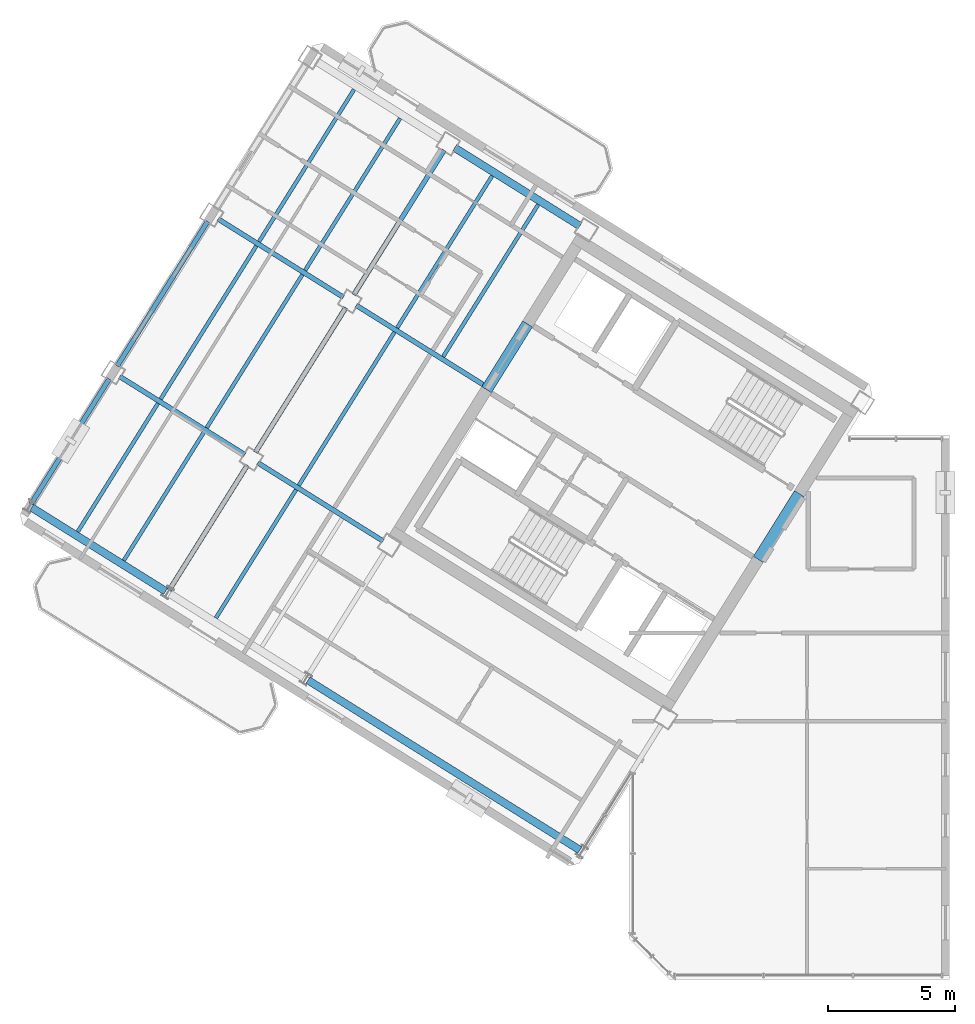
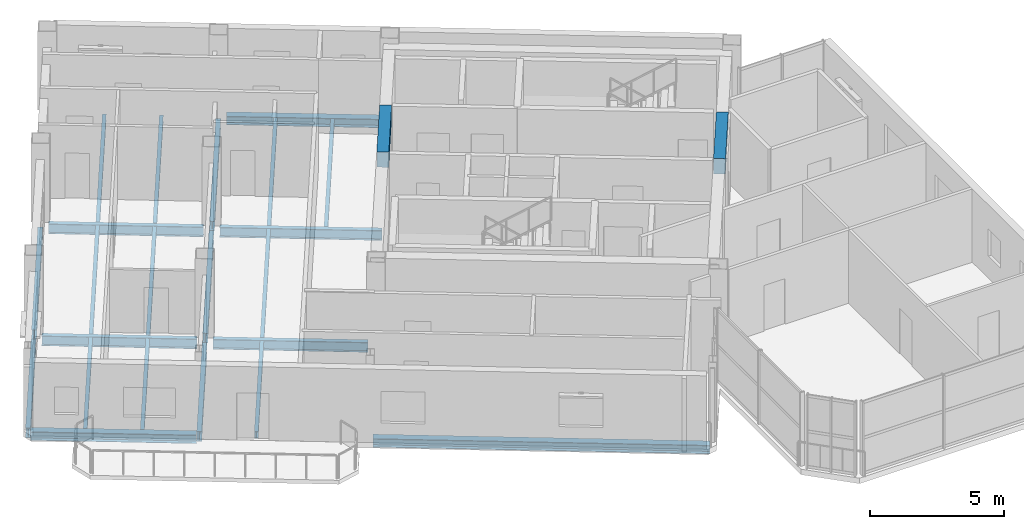
# One storey, part 3 of 12: 24 beams.
"""IFC4 building model written with IfcOpenShell, lengths in metres."""

import ifcopenshell
import ifcopenshell.guid

model = None  # the IFC model being written
_history = None  # IfcOwnerHistory: only IFC2X3 demands one
_inside = {}  # id of a spatial element -> (the spatial element, [elements in it])
_under = {}  # id of a project, library or spatial element -> (it, [spatial elements below it])
_declared = {}  # id of a project -> (the project, [libraries it declares])
_typed = {}  # id of a type object -> (the type object, [elements of that type])
_made_of = {}  # id of a material, layer set ... -> (it, [elements and type objects made of it])


def new_model(schema):
    """Start an empty IFC model of exactly this schema.

    Asked for "IFC4X3", IfcOpenShell would pick the latest addendum, in which some entities
    have other attributes; the version numbers below select the first issue.
    IFC2X3 requires an IfcOwnerHistory on every rooted entity: one is made here for all.
    """
    global model, _history
    if schema == "IFC4X3":
        model = ifcopenshell.file(schema_version=(4, 3, 0, 0))
    else:
        model = ifcopenshell.file(schema=schema)
    _inside.clear()
    _under.clear()
    _declared.clear()
    _typed.clear()
    _made_of.clear()
    _history = None
    if model.schema == "IFC2X3":
        org = make("IfcOrganization", Name="unknown")
        user = make(
            "IfcPersonAndOrganization",
            ThePerson=make("IfcPerson", FamilyName="unknown"),
            TheOrganization=org,
        )
        app = make(
            "IfcApplication",
            ApplicationDeveloper=org,
            Version="unknown",
            ApplicationFullName="unknown",
            ApplicationIdentifier="unknown",
        )
        _history = make(
            "IfcOwnerHistory",
            OwningUser=user,
            OwningApplication=app,
            ChangeAction="ADDED",
            CreationDate=0,
        )
    return model


def make(cls, **values):
    """One entity of the class cls with the attributes given. An attribute that is None is left unset."""
    return model.create_entity(
        cls, **{name: value for name, value in values.items() if value is not None}
    )


def rooted(cls, **values):
    """An entity with a GlobalId (a new one), such as an element, a storey or a relation."""
    return make(cls, GlobalId=ifcopenshell.guid.new(), OwnerHistory=_history, **values)


def si_unit(unit_type, name, prefix=None):
    """IfcSIUnit, for example si_unit("LENGTHUNIT", "METRE", prefix="MILLI")."""
    return make("IfcSIUnit", UnitType=unit_type, Prefix=prefix, Name=name)


def assignment(units):
    """IfcUnitAssignment: the units of a project."""
    return None if units is None else make("IfcUnitAssignment", Units=units)


def point(xyz):
    """IfcCartesianPoint."""
    return None if xyz is None else make("IfcCartesianPoint", Coordinates=xyz)


def direction(xyz):
    """IfcDirection."""
    return None if xyz is None else make("IfcDirection", DirectionRatios=xyz)


def frame(location, z_axis=None, x_axis=None):
    """IfcAxis2Placement3D, a coordinate frame: its origin and axes. An axis left out is left unset."""
    return make(
        "IfcAxis2Placement3D",
        Location=point(location),
        Axis=direction(z_axis),
        RefDirection=direction(x_axis),
    )


def frame_2d(location, x_axis=None):
    """IfcAxis2Placement2D, a coordinate frame in the plane: its origin and x axis."""
    return make(
        "IfcAxis2Placement2D", Location=point(location), RefDirection=direction(x_axis)
    )


def origin():
    """The frame at (0, 0, 0) with its axes left unset."""
    return frame((0.0, 0.0, 0.0))


def origin_2d():
    """The frame at (0, 0) in the plane with its x axis left unset."""
    return frame_2d((0.0, 0.0))


def place(relative_to, where):
    """IfcLocalPlacement: puts the frame where relative to a parent placement (None: the world)."""
    return make(
        "IfcLocalPlacement", PlacementRelTo=relative_to, RelativePlacement=where
    )


def context(
    kind, dimensions, precision=None, world=None, true_north=None, identifier=None
):
    """IfcGeometricRepresentationContext, for example the 3D "Model" context."""
    return make(
        "IfcGeometricRepresentationContext",
        ContextIdentifier=identifier,
        ContextType=kind,
        CoordinateSpaceDimension=dimensions,
        Precision=precision,
        WorldCoordinateSystem=world,
        TrueNorth=true_north,
    )


def subcontext(parent, identifier, kind, view, scale=None):
    """IfcGeometricRepresentationSubContext, for example "Body" below "Model"."""
    return make(
        "IfcGeometricRepresentationSubContext",
        ContextIdentifier=identifier,
        ContextType=kind,
        ParentContext=parent,
        TargetScale=scale,
        TargetView=view,
    )


def project(units=None, contexts=None):
    """IfcProject with its units and contexts."""
    return rooted(
        "IfcProject",
        Name="project",
        RepresentationContexts=contexts,
        UnitsInContext=assignment(units),
    )


def spatial(cls, under=None, at=None, **own):
    """A site, building, storey or space (cls), placed at a placement, below another one or the project."""
    s = rooted(cls, ObjectPlacement=at, **own)
    if under is not None:
        _under.setdefault(under.id(), (under, []))[1].append(s)
    return s


def profile(cls, at=None, kind="AREA", **sizes):
    """A parametric profile (cls). Its sizes go by their IFC names, for example OverallWidth=200.0."""
    return make(cls, ProfileType=kind, Position=at, **sizes)


def rectangle(**sizes):
    """IfcRectangleProfileDef."""
    return profile("IfcRectangleProfileDef", **sizes)


def i_section(**sizes):
    """IfcIShapeProfileDef."""
    return profile("IfcIShapeProfileDef", **sizes)


def extrude(swept, where, along, depth):
    """IfcExtrudedAreaSolid: the profile swept, set in the frame where, extruded along a direction by depth."""
    return make(
        "IfcExtrudedAreaSolid",
        SweptArea=swept,
        Position=where,
        ExtrudedDirection=direction(along),
        Depth=depth,
    )


def shape(context_of_items, identifier, shape_type, items):
    """IfcShapeRepresentation: the items that make up one representation, for example the "Body"."""
    return make(
        "IfcShapeRepresentation",
        ContextOfItems=context_of_items,
        RepresentationIdentifier=identifier,
        RepresentationType=shape_type,
        Items=items,
    )


def source(mapping_origin, context_of_items, identifier, shape_type, items):
    """IfcRepresentationMap: a shape defined once, which mapped items show again and again."""
    return make(
        "IfcRepresentationMap",
        MappingOrigin=mapping_origin,
        MappedRepresentation=shape(context_of_items, identifier, shape_type, items),
    )


def transform(
    local_origin,
    x_axis=None,
    y_axis=None,
    z_axis=None,
    scale=None,
    scale2=None,
    scale3=None,
    uniform=True,
):
    """IfcCartesianTransformationOperator3D, or its non-uniform kind. x_axis, y_axis, z_axis: its Axis1, 2, 3."""
    if uniform:
        return make(
            "IfcCartesianTransformationOperator3D",
            Axis1=direction(x_axis),
            Axis2=direction(y_axis),
            LocalOrigin=point(local_origin),
            Scale=scale,
            Axis3=direction(z_axis),
        )
    return make(
        "IfcCartesianTransformationOperator3DnonUniform",
        Axis1=direction(x_axis),
        Axis2=direction(y_axis),
        LocalOrigin=point(local_origin),
        Scale=scale,
        Axis3=direction(z_axis),
        Scale2=scale2,
        Scale3=scale3,
    )


def mapped(mapping_source, mapping_target):
    """IfcMappedItem: shows the shape of a source again, moved by a transform."""
    return make(
        "IfcMappedItem", MappingSource=mapping_source, MappingTarget=mapping_target
    )


def material(Name=None, Category=None):
    """IfcMaterial."""
    return make("IfcMaterial", Name=Name, Category=Category)


def material_profile(
    of_material, cross_section, Name=None, Category=None, Priority=None
):
    """IfcMaterialProfile: a cross section and its material."""
    return make(
        "IfcMaterialProfile",
        Name=Name,
        Material=of_material,
        Profile=cross_section,
        Priority=Priority,
        Category=Category,
    )


def profile_set(profiles, Name=None, composite=None):
    """IfcMaterialProfileSet."""
    return make(
        "IfcMaterialProfileSet",
        Name=Name,
        MaterialProfiles=profiles,
        CompositeProfile=composite,
    )


def made_of(thing, what):
    """Note that an element or type object is made of a material, layer set ...; save() writes the relation."""
    if what is not None:
        _made_of.setdefault(what.id(), (what, []))[1].append(thing)
    return thing


def type_object(cls, material=None, **own):
    """A type object (cls), such as IfcWallType, which elements share."""
    return made_of(rooted(cls, **own), material)


def element(
    cls,
    number,
    at=None,
    inside=None,
    cuts=None,
    type_object=None,
    material=None,
    context=None,
    identifier="Body",
    shape_type=None,
    held_by="IfcProductDefinitionShape",
    body=None,
    shapes=None,
    **own,
):
    """One element of the class cls, such as IfcWall. Its Tag is "e" and its number.

    at: its placement. inside: the storey or other place that contains it. cuts: it is an
    opening in that element (IfcRelVoidsElement). A single representation is given by context,
    identifier, shape_type and body (its items); several are given by shapes. held_by: the class
    of the entity that holds the representations. save() writes the other relations.
    """
    e = rooted(cls, Tag="e%d" % number, ObjectPlacement=at, **own)
    if body is not None:
        shapes = [shape(context, identifier, shape_type, body)]
    if shapes is not None:
        e.Representation = make(held_by, Representations=shapes)
    if inside is not None:
        _inside.setdefault(inside.id(), (inside, []))[1].append(e)
    if cuts is not None:
        rooted(
            "IfcRelVoidsElement", RelatingBuildingElement=cuts, RelatedOpeningElement=e
        )
    if type_object is not None:
        _typed.setdefault(type_object.id(), (type_object, []))[1].append(e)
    return made_of(e, material)


def aggregate(whole, parts):
    """IfcRelAggregates: a whole, such as a stair, and the parts it consists of."""
    return rooted("IfcRelAggregates", RelatingObject=whole, RelatedObjects=parts)


def save(model, path):
    """Write the relations noted so far, then the file.

    IfcRelAggregates (storeys below a building ...), IfcRelContainedInSpatialStructure (elements
    in a storey), IfcRelDefinesByType, IfcRelAssociatesMaterial and IfcRelDeclares: one each for
    every whole, place, type object, material and project.
    """
    for whole, parts in _under.values():
        aggregate(whole, parts)
    for where, things in _inside.values():
        rooted(
            "IfcRelContainedInSpatialStructure",
            RelatedElements=things,
            RelatingStructure=where,
        )
    for kind, things in _typed.values():
        rooted("IfcRelDefinesByType", RelatedObjects=things, RelatingType=kind)
    for what, things in _made_of.values():
        rooted("IfcRelAssociatesMaterial", RelatedObjects=things, RelatingMaterial=what)
    for by, libraries in _declared.values():
        rooted("IfcRelDeclares", RelatingContext=by, RelatedDefinitions=libraries)
    model.write(path)


model = new_model("IFC4")

# Units and contexts
model_context = context("Model", 3, precision=1e-05, world=origin(), true_north=direction((0.0, 1.0)))
body_context = subcontext(model_context, "Body", "Model", "MODEL_VIEW")
ifc_project = project(units=[si_unit("LENGTHUNIT", "METRE"), si_unit("AREAUNIT", "SQUARE_METRE"), si_unit("VOLUMEUNIT", "CUBIC_METRE"), si_unit("PLANEANGLEUNIT", "RADIAN"), si_unit("MASSUNIT", "GRAM", prefix="KILO")], contexts=[model_context])

# Site, building, storey
site_placement = place(None, origin())
site = spatial("IfcSite", under=ifc_project, at=site_placement, CompositionType="ELEMENT")
building_placement = place(site_placement, origin())
building = spatial("IfcBuilding", under=site, at=building_placement, Name="Tlacorven Tower", CompositionType="ELEMENT")
storey_placement = place(building_placement, frame((0.0, 0.0, 288.0)))
storey = spatial("IfcBuildingStorey", under=building, at=storey_placement, Name="L73", CompositionType="ELEMENT", Elevation=288.0)

# Beams
ifc_material_1 = material(Name="Concrete C60/75", Category="concrete")
ifc_material_profile_1 = material_profile(ifc_material_1, rectangle(XDim=0.449951171875, YDim=0.699951171875, at=origin_2d()), Name="RC 450X700")
ifc_profile_set_1 = profile_set([ifc_material_profile_1], Name="Concrete C60/75")
beam_type_1 = type_object("IfcBeamType", Name="BM-LNT-700", PredefinedType="LINTEL", material=ifc_profile_set_1)
shared_shape_1 = source(origin(), body_context, "Body", "SweptSolid", [
    extrude(rectangle(XDim=0.449951171875, YDim=0.699951171875, at=origin_2d()), origin(), (0.0, 0.0, 1.0), 3.050048828125),
])
beam_1_placement = place(storey_placement, frame((38.2998046875, 20.890625, 3.0), z_axis=(-0.529984549635, -0.848007297815, 0.0), x_axis=(0.848007297815, -0.529984549635, 0.0)))
element("IfcBeam", 1, at=beam_1_placement, inside=storey, type_object=beam_type_1, Name="L73 W core coupling lintel beam E1", PredefinedType="LINTEL", context=body_context, shape_type="MappedRepresentation", body=[
    mapped(shared_shape_1, transform((0.0, 0.0, 0.0), scale=1.0)),
])
shared_shape_2 = source(origin(), body_context, "Body", "SweptSolid", [
    extrude(rectangle(XDim=0.449951171875, YDim=0.699951171875, at=origin_2d()), origin(), (0.0, 0.0, 1.0), 3.0498046875),
])
beam_2_placement = place(storey_placement, frame((27.622802734375, 27.562255859375, 3.0), z_axis=(-0.529926983584, -0.848043272522, 0.0), x_axis=(0.848043272522, -0.529926983584, 0.0)))
element("IfcBeam", 2, at=beam_2_placement, inside=storey, type_object=beam_type_1, Name="L73 W core coupling lintel beam E2", PredefinedType="LINTEL", context=body_context, shape_type="MappedRepresentation", body=[
    mapped(shared_shape_2, transform((0.0, 0.0, 0.0), scale=1.0)),
])
ifc_material_2 = material(Name="Steel S355J2", Category="steel")
ifc_material_profile_2 = material_profile(ifc_material_2, i_section(OverallWidth=0.300048828125, OverallDepth=0.389892578125, WebThickness=0.010986328125, FlangeThickness=0.01904296875, at=origin_2d()), Name="HEA 400")
ifc_profile_set_2 = profile_set([ifc_material_profile_2], Name="Steel S355J2")
beam_type_2 = type_object("IfcBeamType", Name="BM-SPN-400", PredefinedType="SPANDREL", material=ifc_profile_set_2)
shared_shape_3 = source(origin(), body_context, "Body", "SweptSolid", [
    extrude(i_section(OverallWidth=0.300048828125, OverallDepth=0.389892578125, WebThickness=0.010986328125, FlangeThickness=0.01904296875, at=origin_2d()), origin(), (0.0, 0.0, 1.0), 12.599853515625),
])
beam_3_placement = place(storey_placement, frame((29.67578125, 6.882080078125, -0.445068359375), z_axis=(-0.848045108756, 0.529924045043, 0.0), x_axis=(-0.529924045043, -0.848045108756, 0.0)))
element("IfcBeam", 3, at=beam_3_placement, inside=storey, type_object=beam_type_2, Name="L73 beam BM-L73-WL4-1", PredefinedType="SPANDREL", context=body_context, shape_type="MappedRepresentation", body=[
    mapped(shared_shape_3, transform((0.0, 0.0, 0.0), scale=1.0)),
])
shared_shape_4 = source(origin(), body_context, "Body", "SweptSolid", [
    extrude(i_section(OverallWidth=0.300048828125, OverallDepth=0.389892578125, WebThickness=0.010986328125, FlangeThickness=0.01904296875, at=origin_2d()), origin(), (0.0, 0.0, 1.0), 6.199951171875),
])
beam_4_placement = place(storey_placement, frame((13.393310546875, 17.056396484375, -0.445068359375), z_axis=(-0.848033697614, 0.529942306022, 0.0), x_axis=(-0.529942306022, -0.848033697614, 0.0)))
element("IfcBeam", 4, at=beam_4_placement, inside=storey, type_object=beam_type_2, Name="L73 beam BM-L73-WL4-4", PredefinedType="SPANDREL", context=body_context, shape_type="MappedRepresentation", body=[
    mapped(shared_shape_4, transform((0.0, 0.0, 0.0), scale=1.0)),
])
shared_shape_5 = source(origin(), body_context, "Body", "SweptSolid", [
    extrude(i_section(OverallWidth=0.300048828125, OverallDepth=0.389892578125, WebThickness=0.010986328125, FlangeThickness=0.01904296875, at=origin_2d()), origin(), (0.0, 0.0, 1.0), 5.800048828125),
])
beam_5_placement = place(storey_placement, frame((29.673583984375, 31.410400390625, -0.445068359375), z_axis=(-0.848052689693, 0.529911912967, 0.0), x_axis=(-0.529911912967, -0.848052689693, 0.0)))
element("IfcBeam", 5, at=beam_5_placement, inside=storey, type_object=beam_type_2, Name="L73 beam BM-L73-WL1-3", PredefinedType="SPANDREL", context=body_context, shape_type="MappedRepresentation", body=[
    mapped(shared_shape_5, transform((0.0, 0.0, 0.0), scale=1.0)),
])
ifc_material_profile_3 = material_profile(ifc_material_2, i_section(OverallWidth=0.14990234375, OverallDepth=0.300048828125, WebThickness=0.007080078125, FlangeThickness=0.0107421875, at=origin_2d()), Name="IPE 300")
ifc_profile_set_3 = profile_set([ifc_material_profile_3], Name="Steel S355J2")
beam_type_3 = type_object("IfcBeamType", Name="BM-JST-300", PredefinedType="JOIST", material=ifc_profile_set_3)
shared_shape_6 = source(origin(), body_context, "Body", "SweptSolid", [
    extrude(i_section(OverallWidth=0.14990234375, OverallDepth=0.300048828125, WebThickness=0.007080078125, FlangeThickness=0.0107421875, at=origin_2d()), origin(), (0.0, 0.0, 1.0), 7.10009765625),
])
beam_6_placement = place(storey_placement, frame((22.38818359375, 27.23681640625, -0.39990234375), z_axis=(-0.529915484902, -0.848050457733, 0.0), x_axis=(0.848050457733, -0.529915484902, 0.0)))
element("IfcBeam", 6, at=beam_6_placement, inside=storey, type_object=beam_type_3, Name="L73 beam BM-L73-WJ3-2-2", PredefinedType="JOIST", context=body_context, shape_type="MappedRepresentation", body=[
    mapped(shared_shape_6, transform((0.0, 0.0, 0.0), scale=1.0)),
])
shared_shape_7 = source(origin(), body_context, "Body", "SweptSolid", [
    extrude(i_section(OverallWidth=0.14990234375, OverallDepth=0.300048828125, WebThickness=0.007080078125, FlangeThickness=0.0107421875, at=origin_2d()), origin(), (0.0, 0.0, 1.0), 7.099853515625),
])
for number, where, z_axis, x_axis, name in (
    (7, (18.769775390625, 29.497802734375, -0.39990234375), (-0.529890754507, -0.848065910344, 0.0), (0.848065910344, -0.529890754507, 0.0), "L73 beam BM-L73-WJ4-2-1"),
    (8, (16.960693359375, 30.628173828125, -0.39990234375), (-0.529930937954, -0.848040801494, 0.0), (0.848040801494, -0.529930937954, 0.0), "L73 beam BM-L73-WJ4-2-2"),
):
    element("IfcBeam", number, at=place(storey_placement, frame(where, z_axis=z_axis, x_axis=x_axis)), inside=storey, type_object=beam_type_3, Name=name, PredefinedType="JOIST", context=body_context, shape_type="MappedRepresentation", body=[
        mapped(shared_shape_7, transform((0.0, 0.0, 0.0), scale=1.0)),
    ])
shared_shape_8 = source(origin(), body_context, "Body", "SweptSolid", [
    extrude(i_section(OverallWidth=0.14990234375, OverallDepth=0.300048828125, WebThickness=0.007080078125, FlangeThickness=0.0107421875, at=origin_2d()), origin(), (0.0, 0.0, 1.0), 7.044921875),
])
for number, where, z_axis, x_axis, name in (
    (9, (28.03662109375, 32.25048828125, -0.39990234375), (-0.529899256491, -0.848060598053, 0.0), (0.848060598053, -0.529899256491, 0.0), "L73 beam BM-L73-WJ3-1-1"),
    (10, (26.2275390625, 33.380859375, -0.39990234375), (-0.529939753148, -0.848035292917, 0.0), (0.848035292917, -0.529939753148, 0.0), "L73 beam BM-L73-WJ3-1-2"),
    (11, (22.609130859375, 35.641845703125, -0.39990234375), (-0.52991483005, -0.848050866925, 0.0), (0.848050866925, -0.52991483005, 0.0), "L73 beam BM-L73-WJ4-1-1"),
):
    element("IfcBeam", number, at=place(storey_placement, frame(where, z_axis=z_axis, x_axis=x_axis)), inside=storey, type_object=beam_type_3, Name=name, PredefinedType="JOIST", context=body_context, shape_type="MappedRepresentation", body=[
        mapped(shared_shape_8, transform((0.0, 0.0, 0.0), scale=1.0)),
    ])
shared_shape_9 = source(origin(), body_context, "Body", "SweptSolid", [
    extrude(i_section(OverallWidth=0.14990234375, OverallDepth=0.300048828125, WebThickness=0.007080078125, FlangeThickness=0.0107421875, at=origin_2d()), origin(), (0.0, 0.0, 1.0), 5.945068359375),
])
for number, where, z_axis, x_axis, name in (
    (12, (18.519775390625, 21.046142578125, -0.39990234375), (-0.529914037113, -0.848051362401, 0.0), (0.848051362401, -0.529914037113, 0.0), "L73 beam BM-L73-WJ3-3-2"),
    (13, (14.9013671875, 23.30712890625, -0.39990234375), (-0.529884501938, -0.848069817059, 0.0), (0.848069817059, -0.529884501938, 0.0), "L73 beam BM-L73-WJ4-3-1"),
):
    element("IfcBeam", number, at=place(storey_placement, frame(where, z_axis=z_axis, x_axis=x_axis)), inside=storey, type_object=beam_type_3, Name=name, PredefinedType="JOIST", context=body_context, shape_type="MappedRepresentation", body=[
        mapped(shared_shape_9, transform((0.0, 0.0, 0.0), scale=1.0)),
    ])
shared_shape_10 = source(origin(), body_context, "Body", "SweptSolid", [
    extrude(i_section(OverallWidth=0.14990234375, OverallDepth=0.300048828125, WebThickness=0.007080078125, FlangeThickness=0.0107421875, at=origin_2d()), origin(), (0.0, 0.0, 1.0), 7.045166015625),
])
beam_7_placement = place(storey_placement, frame((20.800048828125, 36.7724609375, -0.39990234375), z_axis=(-0.529924179428, -0.848045024782, 0.0), x_axis=(0.848045024782, -0.529924179428, 0.0)))
element("IfcBeam", 14, at=beam_7_placement, inside=storey, type_object=beam_type_3, Name="L73 beam BM-L73-WJ4-1-2", PredefinedType="JOIST", context=body_context, shape_type="MappedRepresentation", body=[
    mapped(shared_shape_10, transform((0.0, 0.0, 0.0), scale=1.0)),
])
shared_shape_11 = source(origin(), body_context, "Body", "SweptSolid", [
    extrude(i_section(OverallWidth=0.14990234375, OverallDepth=0.300048828125, WebThickness=0.007080078125, FlangeThickness=0.0107421875, at=origin_2d()), origin(), (0.0, 0.0, 1.0), 5.94482421875),
])
beam_8_placement = place(storey_placement, frame((13.09228515625, 24.4375, -0.39990234375), z_axis=(-0.529932492401, -0.848039830136, 0.0), x_axis=(0.848039830136, -0.529932492401, 0.0)))
element("IfcBeam", 15, at=beam_8_placement, inside=storey, type_object=beam_type_3, Name="L73 beam BM-L73-WJ4-3-2", PredefinedType="JOIST", context=body_context, shape_type="MappedRepresentation", body=[
    mapped(shared_shape_11, transform((0.0, 0.0, 0.0), scale=1.0)),
])
ifc_material_profile_4 = material_profile(ifc_material_2, i_section(OverallWidth=0.18994140625, OverallDepth=0.449951171875, WebThickness=0.009521484375, FlangeThickness=0.0146484375, at=origin_2d()), Name="IPE 450")
ifc_profile_set_4 = profile_set([ifc_material_profile_4], Name="Steel S355J2")
beam_type_4 = type_object("IfcBeamType", Name="BM-TWR-450", PredefinedType="BEAM", material=ifc_profile_set_4)
shared_shape_12 = source(origin(), body_context, "Body", "SweptSolid", [
    extrude(i_section(OverallWidth=0.18994140625, OverallDepth=0.449951171875, WebThickness=0.009521484375, FlangeThickness=0.0146484375, at=origin_2d()), origin(), (0.0, 0.0, 1.0), 6.06005859375),
])
beam_9_placement = place(storey_placement, frame((26.025634765625, 25.081787109375, -0.47509765625), z_axis=(-0.848039041052, 0.529933755154, 0.0), x_axis=(-0.529933755154, -0.848039041052, 0.0)))
element("IfcBeam", 16, at=beam_9_placement, inside=storey, type_object=beam_type_4, Name="L73 beam BM-L73-WL2-3", PredefinedType="BEAM", context=body_context, shape_type="MappedRepresentation", body=[
    mapped(shared_shape_12, transform((0.0, 0.0, 0.0), scale=1.0)),
])
shared_shape_13 = source(origin(), body_context, "Body", "SweptSolid", [
    extrude(i_section(OverallWidth=0.18994140625, OverallDepth=0.449951171875, WebThickness=0.009521484375, FlangeThickness=0.0146484375, at=origin_2d()), origin(), (0.0, 0.0, 1.0), 5.800048828125),
])
for number, where, z_axis, x_axis, name in (
    (17, (20.377685546875, 28.611083984375, -0.47509765625), (-0.848052689693, 0.529911912967, 0.0), (-0.529911912967, -0.848052689693, 0.0), "L73 beam BM-L73-WL2-4"),
    (18, (21.936767578125, 19.02880859375, -0.47509765625), (-0.848052689693, 0.529911912967, 0.0), (-0.529911912967, -0.848052689693, 0.0), "L73 beam BM-L73-WL3-3"),
    (19, (16.50927734375, 22.42041015625, -0.47509765625), (-0.848052689693, 0.529911912967, 0.0), (-0.529911912967, -0.848052689693, 0.0), "L73 beam BM-L73-WL3-4"),
    (20, (16.604736328125, 22.0068359375, -0.47509765625), (-0.52994218514, -0.848033773154, 0.0), (0.848033773154, -0.52994218514, 0.0), "L73 beam BM-L73-WT4-3"),
    (21, (11.17724609375, 25.3984375, -0.47509765625), (-0.52994218514, -0.848033773154, 0.0), (0.848033773154, -0.52994218514, 0.0), "L73 beam BM-L73-WT5-3"),
):
    element("IfcBeam", number, at=place(storey_placement, frame(where, z_axis=z_axis, x_axis=x_axis)), inside=storey, type_object=beam_type_4, Name=name, PredefinedType="BEAM", context=body_context, shape_type="MappedRepresentation", body=[
        mapped(shared_shape_13, transform((0.0, 0.0, 0.0), scale=1.0)),
    ])
shared_shape_14 = source(origin(), body_context, "Body", "SweptSolid", [
    extrude(i_section(OverallWidth=0.18994140625, OverallDepth=0.449951171875, WebThickness=0.009521484375, FlangeThickness=0.0146484375, at=origin_2d()), origin(), (0.0, 0.0, 1.0), 6.699951171875),
])
for number, where, z_axis, x_axis, name in (
    (22, (24.341552734375, 34.388427734375, -0.47509765625), (-0.529930154818, -0.848041290867, 0.0), (0.848041290867, -0.529930154818, 0.0), "L73 beam BM-L73-WT4-1"),
    (23, (20.47314453125, 28.19775390625, -0.47509765625), (-0.529930154818, -0.848041290867, 0.0), (0.848041290867, -0.529930154818, 0.0), "L73 beam BM-L73-WT4-2"),
    (24, (15.045654296875, 31.589111328125, -0.47509765625), (-0.529930154818, -0.848041290867, 0.0), (0.848041290867, -0.529930154818, 0.0), "L73 beam BM-L73-WT5-2"),
):
    element("IfcBeam", number, at=place(storey_placement, frame(where, z_axis=z_axis, x_axis=x_axis)), inside=storey, type_object=beam_type_4, Name=name, PredefinedType="BEAM", context=body_context, shape_type="MappedRepresentation", body=[
        mapped(shared_shape_14, transform((0.0, 0.0, 0.0), scale=1.0)),
    ])

save(model, "model.ifc")
